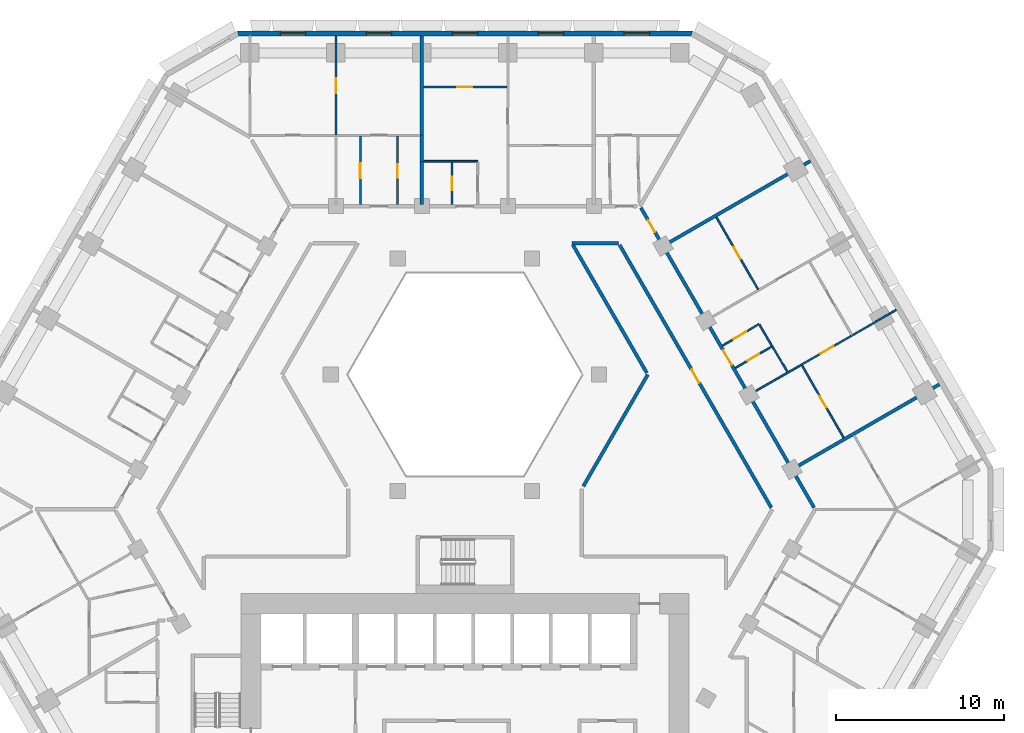
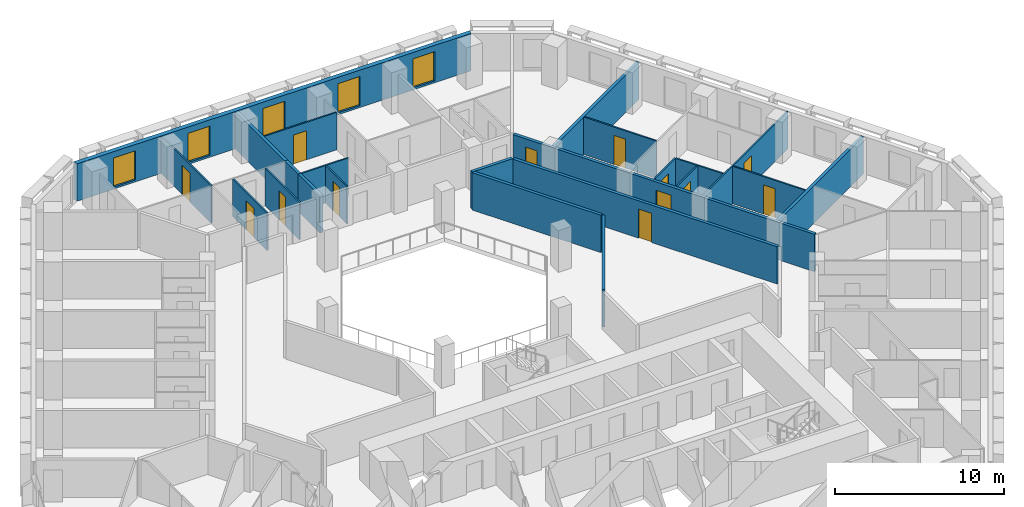
# One storey, part 9 of 16: 23 walls, 13 doors, 5 windows, 18 openings.
"""IFC4 building model written with IfcOpenShell, lengths in metres."""

from ifc_helpers import new_model, si_unit, direction, frame, frame_2d, origin, place, context, subcontext, project, spatial, polyline, rectangle, outline, extrude, material, layer, layer_set, type_object, element, fill, save


model = new_model("IFC4")

# Units and contexts
model_context = context("Model", 3, precision=1e-05, world=origin(), true_north=direction((0.0, 1.0)))
body_context = subcontext(model_context, "Body", "Model", "MODEL_VIEW")
ifc_project = project(units=[si_unit("LENGTHUNIT", "METRE"), si_unit("AREAUNIT", "SQUARE_METRE"), si_unit("VOLUMEUNIT", "CUBIC_METRE"), si_unit("PLANEANGLEUNIT", "RADIAN"), si_unit("MASSUNIT", "GRAM", prefix="KILO")], contexts=[model_context])

# Site, building, storey
site_placement = place(None, origin())
site = spatial("IfcSite", under=ifc_project, at=site_placement, CompositionType="ELEMENT")
building_placement = place(site_placement, origin())
building = spatial("IfcBuilding", under=site, at=building_placement, Name="Beryl Residences", CompositionType="ELEMENT")
storey_placement = place(building_placement, frame((0.0, 0.0, 26.39990234375)))
storey = spatial("IfcBuildingStorey", under=building, at=storey_placement, Name="L07", CompositionType="ELEMENT", Elevation=26.39990234375)

# Wall, openings, windows
ifc_material_1 = material(Name="Composite metal panel with mineral wool insulation")
ifc_layer_1 = layer(ifc_material_1, 0.300048828125)
ifc_layer_set_1 = layer_set([ifc_layer_1], Name="ES1 pale metal composite panel wall 300 mm")
wall_type_1 = type_object("IfcWallType", Name="ES1 pale metal composite panel wall 300 mm", PredefinedType="SOLIDWALL", material=ifc_layer_set_1)
wall_1_placement = place(storey_placement, frame((13.510009765625, 28.25, 0.0), z_axis=(0.0, 0.0, 1.0), x_axis=(-1.0, 0.0, 0.0)))
wall_1 = element("IfcWall", 1, at=wall_1_placement, inside=storey, type_object=wall_type_1, Name="ES1 external wall L07 N", PredefinedType="SOLIDWALL", context=body_context, shape_type="SweptSolid", body=[
    extrude(outline(polyline([(0.0, -0.14990234375), (27.02001953125, -0.14990234375), (26.939697265625, 0.14990234375), (0.080322265625, 0.14990234375), (0.0, -0.14990234375)])), origin(), (0.0, 0.0, 1.0), 2.7001953125),
])
opening_1_placement = place(wall_1_placement, frame((2.552978515625, 0.0, 0.14990234375)))
opening_1 = element("IfcOpeningElement", 2, at=opening_1_placement, cuts=wall_1, Name="Opening W1", PredefinedType="OPENING", context=body_context, shape_type="SweptSolid", body=[
    extrude(rectangle(XDim=1.5, YDim=2.10009765625, at=frame_2d((0.75, 1.050048828125))), frame((0.0, 0.159912109375, 0.0), z_axis=(0.0, -1.0, 0.0), x_axis=(1.0, 0.0, 0.0)), (0.0, 0.0, 1.0), 0.320068359375),
])
opening_2_placement = place(wall_1_placement, frame((7.656982421875, 0.0, 0.14990234375)))
opening_2 = element("IfcOpeningElement", 3, at=opening_2_placement, cuts=wall_1, Name="Opening W1", PredefinedType="OPENING", context=body_context, shape_type="SweptSolid", body=[
    extrude(rectangle(XDim=1.5, YDim=2.10009765625, at=frame_2d((0.75, 1.050048828125))), frame((0.0, 0.159912109375, 0.0), z_axis=(0.0, -1.0, 0.0), x_axis=(1.0, 0.0, 0.0)), (0.0, 0.0, 1.0), 0.320068359375),
])
opening_3_placement = place(wall_1_placement, frame((12.760986328125, 0.0, 0.14990234375)))
opening_3 = element("IfcOpeningElement", 4, at=opening_3_placement, cuts=wall_1, Name="Opening W1", PredefinedType="OPENING", context=body_context, shape_type="SweptSolid", body=[
    extrude(rectangle(XDim=1.5, YDim=2.10009765625, at=frame_2d((0.75, 1.050048828125))), frame((0.0, 0.159912109375, 0.0), z_axis=(0.0, -1.0, 0.0), x_axis=(1.0, 0.0, 0.0)), (0.0, 0.0, 1.0), 0.320068359375),
])
opening_4_placement = place(wall_1_placement, frame((17.864990234375, 0.0, 0.14990234375)))
opening_4 = element("IfcOpeningElement", 5, at=opening_4_placement, cuts=wall_1, Name="Opening W1", PredefinedType="OPENING", context=body_context, shape_type="SweptSolid", body=[
    extrude(rectangle(XDim=1.5, YDim=2.10009765625, at=frame_2d((0.75, 1.050048828125))), frame((0.0, 0.159912109375, 0.0), z_axis=(0.0, -1.0, 0.0), x_axis=(1.0, 0.0, 0.0)), (0.0, 0.0, 1.0), 0.320068359375),
])
opening_5_placement = place(wall_1_placement, frame((22.968994140625, 0.0, 0.14990234375)))
opening_5 = element("IfcOpeningElement", 6, at=opening_5_placement, cuts=wall_1, Name="Opening W1", PredefinedType="OPENING", context=body_context, shape_type="SweptSolid", body=[
    extrude(rectangle(XDim=1.5, YDim=2.10009765625, at=frame_2d((0.75, 1.050048828125))), frame((0.0, 0.159912109375, 0.0), z_axis=(0.0, -1.0, 0.0), x_axis=(1.0, 0.0, 0.0)), (0.0, 0.0, 1.0), 0.320068359375),
])
ifc_material_2 = material(Name="Aluminium and clear glass", Category="aluminium")
window_type = type_object("IfcWindowType", Name="W1 cell window 1500 x 2100 mm", PartitioningType="SINGLE_PANEL", PredefinedType="WINDOW", material=ifc_material_2)
window_1_placement = place(opening_1_placement, origin())
window_1 = element("IfcWindow", 7, at=window_1_placement, inside=storey, type_object=window_type, Name="W1 window L07 N 2", OverallHeight=2.10009765625, OverallWidth=1.5, PartitioningType="SINGLE_PANEL", PredefinedType="WINDOW", context=body_context, shape_type="SweptSolid", body=[
    extrude(rectangle(XDim=1.5, YDim=2.10009765625, at=frame_2d((0.75, 1.050048828125))), frame((0.0, 0.030029296875, 0.0), z_axis=(0.0, -1.0, 0.0), x_axis=(1.0, 0.0, 0.0)), (0.0, 0.0, 1.0), 0.06005859375),
])
fill(opening_1, window_1)
window_2_placement = place(opening_2_placement, origin())
window_2 = element("IfcWindow", 8, at=window_2_placement, inside=storey, type_object=window_type, Name="W1 window L07 N 4", OverallHeight=2.10009765625, OverallWidth=1.5, PartitioningType="SINGLE_PANEL", PredefinedType="WINDOW", context=body_context, shape_type="SweptSolid", body=[
    extrude(rectangle(XDim=1.5, YDim=2.10009765625, at=frame_2d((0.75, 1.050048828125))), frame((0.0, 0.030029296875, 0.0), z_axis=(0.0, -1.0, 0.0), x_axis=(1.0, 0.0, 0.0)), (0.0, 0.0, 1.0), 0.06005859375),
])
fill(opening_2, window_2)
window_3_placement = place(opening_3_placement, origin())
window_3 = element("IfcWindow", 9, at=window_3_placement, inside=storey, type_object=window_type, Name="W1 window L07 N 6", OverallHeight=2.10009765625, OverallWidth=1.5, PartitioningType="SINGLE_PANEL", PredefinedType="WINDOW", context=body_context, shape_type="SweptSolid", body=[
    extrude(rectangle(XDim=1.5, YDim=2.10009765625, at=frame_2d((0.75, 1.050048828125))), frame((0.0, 0.030029296875, 0.0), z_axis=(0.0, -1.0, 0.0), x_axis=(1.0, 0.0, 0.0)), (0.0, 0.0, 1.0), 0.06005859375),
])
fill(opening_3, window_3)
window_4_placement = place(opening_4_placement, origin())
window_4 = element("IfcWindow", 10, at=window_4_placement, inside=storey, type_object=window_type, Name="W1 window L07 N 8", OverallHeight=2.10009765625, OverallWidth=1.5, PartitioningType="SINGLE_PANEL", PredefinedType="WINDOW", context=body_context, shape_type="SweptSolid", body=[
    extrude(rectangle(XDim=1.5, YDim=2.10009765625, at=frame_2d((0.75, 1.050048828125))), frame((0.0, 0.030029296875, 0.0), z_axis=(0.0, -1.0, 0.0), x_axis=(1.0, 0.0, 0.0)), (0.0, 0.0, 1.0), 0.06005859375),
])
fill(opening_4, window_4)
window_5_placement = place(opening_5_placement, origin())
window_5 = element("IfcWindow", 11, at=window_5_placement, inside=storey, type_object=window_type, Name="W1 window L07 N 10", OverallHeight=2.10009765625, OverallWidth=1.5, PartitioningType="SINGLE_PANEL", PredefinedType="WINDOW", context=body_context, shape_type="SweptSolid", body=[
    extrude(rectangle(XDim=1.5, YDim=2.10009765625, at=frame_2d((0.75, 1.050048828125))), frame((0.0, 0.030029296875, 0.0), z_axis=(0.0, -1.0, 0.0), x_axis=(1.0, 0.0, 0.0)), (0.0, 0.0, 1.0), 0.06005859375),
])
fill(opening_5, window_5)

# Wall
ifc_material_3 = material(Name="Gypsum board partition on steel studs", Category="steel")
ifc_layer_2 = layer(ifc_material_3, 0.10009765625)
ifc_layer_set_2 = layer_set([ifc_layer_2], Name="PT1 partition 100 mm gypsum board on steel studs")
wall_type_2 = type_object("IfcWallType", Name="PT1 partition 100 mm gypsum board on steel studs", PredefinedType="PARTITIONING", material=ifc_layer_set_2)
wall_2_placement = place(storey_placement, frame((17.485107421875, 10.95703125, 0.0), z_axis=(0.0, 0.0, 1.0), x_axis=(0.510324709283, -0.859981796956, 0.0)))
element("IfcWall", 12, at=wall_2_placement, inside=storey, type_object=wall_type_2, Name="Wall PT1 L07 001", PredefinedType="PARTITIONING", context=body_context, shape_type="SweptSolid", body=[
    extrude(rectangle(XDim=3.21533203125, YDim=0.10009765625, at=frame_2d((1.607666015625, 0.0))), origin(), (0.0, 0.0, 1.0), 2.7001953125),
])

# Wall, opening, door
wall_3_placement = place(storey_placement, frame((14.927978515625, 17.343994140625, 0.0), z_axis=(0.0, 0.0, 1.0), x_axis=(0.500029609304, -0.86600830817, 0.0)))
wall_3 = element("IfcWall", 13, at=wall_3_placement, inside=storey, type_object=wall_type_2, Name="Wall PT1 L07 004", PredefinedType="PARTITIONING", context=body_context, shape_type="SweptSolid", body=[
    extrude(rectangle(XDim=4.953857421875, YDim=0.10009765625, at=frame_2d((2.47705078125, 0.0))), origin(), (0.0, 0.0, 1.0), 2.7001953125),
])
opening_6_placement = place(wall_3_placement, frame((2.052001953125, 0.0, 0.0)))
opening_6 = element("IfcOpeningElement", 14, at=opening_6_placement, cuts=wall_3, Name="Opening D0457", PredefinedType="OPENING", context=body_context, shape_type="SweptSolid", body=[
    extrude(rectangle(XDim=0.800048828125, YDim=2.10009765625, at=frame_2d((0.39990234375, 1.050048828125))), frame((0.0, 0.06005859375, 0.0), z_axis=(0.0, -1.0, 0.0), x_axis=(1.0, 0.0, 0.0)), (0.0, 0.0, 1.0), 0.1201171875),
])
ifc_material_4 = material(Name="Timber door leaf", Category="wood")
door_type_1 = type_object("IfcDoorType", Name="D3 bathroom door 800 x 2100 mm", OperationType="SINGLE_SWING_LEFT", PredefinedType="DOOR", material=ifc_material_4)
door_1_placement = place(opening_6_placement, origin())
door_1 = element("IfcDoor", 15, at=door_1_placement, inside=storey, type_object=door_type_1, Name="Door D0457 L07 001", OperationType="SINGLE_SWING_LEFT", OverallHeight=2.10009765625, OverallWidth=0.800048828125, PredefinedType="DOOR", context=body_context, shape_type="SweptSolid", body=[
    extrude(rectangle(XDim=0.800048828125, YDim=2.10009765625, at=frame_2d((0.39990234375, 1.050048828125))), frame((0.0, 0.02490234375, 0.0), z_axis=(0.0, -1.0, 0.0), x_axis=(1.0, 0.0, 0.0)), (0.0, 0.0, 1.0), 0.050048828125),
])
fill(opening_6, door_1)

wall_4_placement = place(storey_placement, frame((20.006103515625, 8.548095703125, 0.0), z_axis=(0.0, 0.0, 1.0), x_axis=(0.500055121407, -0.865993577086, 0.0)))
wall_4 = element("IfcWall", 16, at=wall_4_placement, inside=storey, type_object=wall_type_2, Name="Wall PT1 L07 005", PredefinedType="PARTITIONING", context=body_context, shape_type="SweptSolid", body=[
    extrude(rectangle(XDim=4.955078125, YDim=0.10009765625, at=frame_2d((2.4775390625, 0.0))), origin(), (0.0, 0.0, 1.0), 2.7001953125),
])
opening_7_placement = place(wall_4_placement, frame((2.10205078125, 0.0, 0.0)))
opening_7 = element("IfcOpeningElement", 17, at=opening_7_placement, cuts=wall_4, Name="Opening D0456", PredefinedType="OPENING", context=body_context, shape_type="SweptSolid", body=[
    extrude(rectangle(XDim=0.800048828125, YDim=2.10009765625, at=frame_2d((0.39990234375, 1.050048828125))), frame((0.0, 0.06005859375, 0.0), z_axis=(0.0, -1.0, 0.0), x_axis=(1.0, 0.0, 0.0)), (0.0, 0.0, 1.0), 0.1201171875),
])
door_2_placement = place(opening_7_placement, origin())
door_2 = element("IfcDoor", 18, at=door_2_placement, inside=storey, type_object=door_type_1, Name="Door D0456 L07 001", OperationType="SINGLE_SWING_RIGHT", OverallHeight=2.10009765625, OverallWidth=0.800048828125, PredefinedType="DOOR", context=body_context, shape_type="SweptSolid", body=[
    extrude(rectangle(XDim=0.800048828125, YDim=2.10009765625, at=frame_2d((0.39990234375, 1.050048828125))), frame((0.0, 0.02490234375, 0.0), z_axis=(0.0, -1.0, 0.0), x_axis=(1.0, 0.0, 0.0)), (0.0, 0.0, 1.0), 0.050048828125),
])
fill(opening_7, door_2)

# Wall
wall_5_placement = place(storey_placement, frame((-2.452880859375, 20.659912109375, 0.0), z_axis=(0.0, 0.0, 1.0), x_axis=(1.0, 0.0, 0.0)))
element("IfcWall", 19, at=wall_5_placement, inside=storey, type_object=wall_type_2, Name="Wall PT1 L07 035", PredefinedType="PARTITIONING", context=body_context, shape_type="SweptSolid", body=[
    extrude(rectangle(XDim=3.216796875, YDim=0.10009765625, at=frame_2d((1.6083984375, 0.0))), origin(), (0.0, 0.0, 1.0), 2.7001953125),
])

# Wall, opening, door
wall_6_placement = place(storey_placement, frame((-2.452880859375, 25.070068359375, 0.0), z_axis=(0.0, 0.0, 1.0), x_axis=(1.0, 0.0, 0.0)))
wall_6 = element("IfcWall", 20, at=wall_6_placement, inside=storey, type_object=wall_type_2, Name="Wall PT1 L07 039", PredefinedType="PARTITIONING", context=body_context, shape_type="SweptSolid", body=[
    extrude(rectangle(XDim=4.953857421875, YDim=0.10009765625, at=frame_2d((2.47705078125, 0.0))), origin(), (0.0, 0.0, 1.0), 2.7001953125),
])
opening_8_placement = place(wall_6_placement, frame((2.001953125, 0.0, 0.0)))
opening_8 = element("IfcOpeningElement", 21, at=opening_8_placement, cuts=wall_6, Name="Opening D0466", PredefinedType="OPENING", context=body_context, shape_type="SweptSolid", body=[
    extrude(rectangle(XDim=0.89990234375, YDim=2.10009765625, at=frame_2d((0.449951171875, 1.050048828125))), frame((0.0, 0.06005859375, 0.0), z_axis=(0.0, -1.0, 0.0), x_axis=(1.0, 0.0, 0.0)), (0.0, 0.0, 1.0), 0.1201171875),
])
ifc_material_5 = material(Name="Timber door leaf", Category="wood")
door_type_2 = type_object("IfcDoorType", Name="D2 room door 900 x 2100 mm", OperationType="SINGLE_SWING_LEFT", PredefinedType="DOOR", material=ifc_material_5)
door_3_placement = place(opening_8_placement, origin())
door_3 = element("IfcDoor", 22, at=door_3_placement, inside=storey, type_object=door_type_2, Name="Door D0466 L07 001", OperationType="SINGLE_SWING_RIGHT", OverallHeight=2.10009765625, OverallWidth=0.89990234375, PredefinedType="DOOR", context=body_context, shape_type="SweptSolid", body=[
    extrude(rectangle(XDim=0.89990234375, YDim=2.10009765625, at=frame_2d((0.449951171875, 1.050048828125))), frame((0.0, 0.02490234375, 0.0), z_axis=(0.0, -1.0, 0.0), x_axis=(1.0, 0.0, 0.0)), (0.0, 0.0, 1.0), 0.050048828125),
])
fill(opening_8, door_3)

wall_7_placement = place(storey_placement, frame((-4.0048828125, 18.10009765625, 0.0), z_axis=(0.0, 0.0, 1.0), x_axis=(0.0, 1.0, 0.0)))
wall_7 = element("IfcWall", 23, at=wall_7_placement, inside=storey, type_object=wall_type_2, Name="Wall PT1 L07 051", PredefinedType="PARTITIONING", context=body_context, shape_type="SweptSolid", body=[
    extrude(rectangle(XDim=4.0498046875, YDim=0.10009765625, at=frame_2d((2.02490234375, 0.0))), origin(), (0.0, 0.0, 1.0), 2.7001953125),
])
opening_9_placement = place(wall_7_placement, frame((1.60009765625, 0.0, 0.0)))
opening_9 = element("IfcOpeningElement", 24, at=opening_9_placement, cuts=wall_7, Name="Opening D0470", PredefinedType="OPENING", context=body_context, shape_type="SweptSolid", body=[
    extrude(rectangle(XDim=0.800048828125, YDim=2.10009765625, at=frame_2d((0.39990234375, 1.050048828125))), frame((0.0, 0.06005859375, 0.0), z_axis=(0.0, -1.0, 0.0), x_axis=(1.0, 0.0, 0.0)), (0.0, 0.0, 1.0), 0.1201171875),
])
door_4_placement = place(opening_9_placement, origin())
door_4 = element("IfcDoor", 25, at=door_4_placement, inside=storey, type_object=door_type_1, Name="Door D0470 L07 001", OperationType="SINGLE_SWING_RIGHT", OverallHeight=2.10009765625, OverallWidth=0.800048828125, PredefinedType="DOOR", context=body_context, shape_type="SweptSolid", body=[
    extrude(rectangle(XDim=0.800048828125, YDim=2.10009765625, at=frame_2d((0.39990234375, 1.050048828125))), frame((0.0, 0.02490234375, 0.0), z_axis=(0.0, -1.0, 0.0), x_axis=(1.0, 0.0, 0.0)), (0.0, 0.0, 1.0), 0.050048828125),
])
fill(opening_9, door_4)

wall_8_placement = place(storey_placement, frame((-6.205078125, 18.10009765625, 0.0), z_axis=(0.0, 0.0, 1.0), x_axis=(0.0, 1.0, 0.0)))
wall_8 = element("IfcWall", 26, at=wall_8_placement, inside=storey, type_object=wall_type_2, Name="Wall PT1 L07 052", PredefinedType="PARTITIONING", context=body_context, shape_type="SweptSolid", body=[
    extrude(rectangle(XDim=4.0498046875, YDim=0.10009765625, at=frame_2d((2.02490234375, 0.0))), origin(), (0.0, 0.0, 1.0), 2.7001953125),
])
opening_10_placement = place(wall_8_placement, frame((1.550048828125, 0.0, 0.0)))
opening_10 = element("IfcOpeningElement", 27, at=opening_10_placement, cuts=wall_8, Name="Opening D0471", PredefinedType="OPENING", context=body_context, shape_type="SweptSolid", body=[
    extrude(rectangle(XDim=0.89990234375, YDim=2.10009765625, at=frame_2d((0.449951171875, 1.050048828125))), frame((0.0, 0.06005859375, 0.0), z_axis=(0.0, -1.0, 0.0), x_axis=(1.0, 0.0, 0.0)), (0.0, 0.0, 1.0), 0.1201171875),
])
door_5_placement = place(opening_10_placement, origin())
door_5 = element("IfcDoor", 28, at=door_5_placement, inside=storey, type_object=door_type_2, Name="Door D0471 L07 001", OperationType="SINGLE_SWING_LEFT", OverallHeight=2.10009765625, OverallWidth=0.89990234375, PredefinedType="DOOR", context=body_context, shape_type="SweptSolid", body=[
    extrude(rectangle(XDim=0.89990234375, YDim=2.10009765625, at=frame_2d((0.449951171875, 1.050048828125))), frame((0.0, 0.02490234375, 0.0), z_axis=(0.0, -1.0, 0.0), x_axis=(1.0, 0.0, 0.0)), (0.0, 0.0, 1.0), 0.050048828125),
])
fill(opening_10, door_5)

wall_9_placement = place(storey_placement, frame((-0.76708984375, 18.10009765625, 0.0), z_axis=(0.0, 0.0, 1.0), x_axis=(0.0, 1.0, 0.0)))
wall_9 = element("IfcWall", 29, at=wall_9_placement, inside=storey, type_object=wall_type_2, Name="Wall PT1 L07 056", PredefinedType="PARTITIONING", context=body_context, shape_type="SweptSolid", body=[
    extrude(rectangle(XDim=2.510009765625, YDim=0.10009765625, at=frame_2d((1.2548828125, 0.0))), origin(), (0.0, 0.0, 1.0), 2.7001953125),
])
opening_11_placement = place(wall_9_placement, frame((0.830078125, 0.0, 0.0)))
opening_11 = element("IfcOpeningElement", 30, at=opening_11_placement, cuts=wall_9, Name="Opening D0465", PredefinedType="OPENING", context=body_context, shape_type="SweptSolid", body=[
    extrude(rectangle(XDim=0.800048828125, YDim=2.10009765625, at=frame_2d((0.39990234375, 1.050048828125))), frame((0.0, 0.06005859375, 0.0), z_axis=(0.0, -1.0, 0.0), x_axis=(1.0, 0.0, 0.0)), (0.0, 0.0, 1.0), 0.1201171875),
])
door_6_placement = place(opening_11_placement, origin())
door_6 = element("IfcDoor", 31, at=door_6_placement, inside=storey, type_object=door_type_1, Name="Door D0465 L07 001", OperationType="SINGLE_SWING_LEFT", OverallHeight=2.10009765625, OverallWidth=0.800048828125, PredefinedType="DOOR", context=body_context, shape_type="SweptSolid", body=[
    extrude(rectangle(XDim=0.800048828125, YDim=2.10009765625, at=frame_2d((0.39990234375, 1.050048828125))), frame((0.0, 0.02490234375, 0.0), z_axis=(0.0, -1.0, 0.0), x_axis=(1.0, 0.0, 0.0)), (0.0, 0.0, 1.0), 0.050048828125),
])
fill(opening_11, door_6)

wall_10_placement = place(storey_placement, frame((16.949951171875, 6.841064453125, 0.0), z_axis=(0.0, 0.0, 1.0), x_axis=(0.866022959057, 0.500004234368, 0.0)))
wall_10 = element("IfcWall", 32, at=wall_10_placement, inside=storey, type_object=wall_type_2, Name="Wall PT1 L07 065", PredefinedType="PARTITIONING", context=body_context, shape_type="SweptSolid", body=[
    extrude(rectangle(XDim=10.0, YDim=0.10009765625, at=frame_2d((5.0, 0.0))), origin(), (0.0, 0.0, 1.0), 2.7001953125),
])
opening_12_placement = place(wall_10_placement, frame((4.794921875, 0.0, 0.0)))
opening_12 = element("IfcOpeningElement", 33, at=opening_12_placement, cuts=wall_10, Name="Opening D0455", PredefinedType="OPENING", context=body_context, shape_type="SweptSolid", body=[
    extrude(rectangle(XDim=0.89990234375, YDim=2.10009765625, at=frame_2d((0.449951171875, 1.050048828125))), frame((0.0, 0.06005859375, 0.0), z_axis=(0.0, -1.0, 0.0), x_axis=(1.0, 0.0, 0.0)), (0.0, 0.0, 1.0), 0.1201171875),
])
door_7_placement = place(opening_12_placement, origin())
door_7 = element("IfcDoor", 34, at=door_7_placement, inside=storey, type_object=door_type_2, Name="Door D0455 L07 001", OperationType="SINGLE_SWING_LEFT", OverallHeight=2.10009765625, OverallWidth=0.89990234375, PredefinedType="DOOR", context=body_context, shape_type="SweptSolid", body=[
    extrude(rectangle(XDim=0.89990234375, YDim=2.10009765625, at=frame_2d((0.449951171875, 1.050048828125))), frame((0.0, 0.02490234375, 0.0), z_axis=(0.0, -1.0, 0.0), x_axis=(1.0, 0.0, 0.0)), (0.0, 0.0, 1.0), 0.050048828125),
])
fill(opening_12, door_7)

wall_11_placement = place(storey_placement, frame((16.056884765625, 8.388916015625, 0.0), z_axis=(0.0, 0.0, 1.0), x_axis=(0.860077993161, 0.510162567893, 0.0)))
wall_11 = element("IfcWall", 35, at=wall_11_placement, inside=storey, type_object=wall_type_2, Name="Wall PT1 L07 069", PredefinedType="PARTITIONING", context=body_context, shape_type="SweptSolid", body=[
    extrude(rectangle(XDim=2.489501953125, YDim=0.10009765625, at=frame_2d((1.24462890625, 0.0))), origin(), (0.0, 0.0, 1.0), 2.7001953125),
])
opening_13_placement = place(wall_11_placement, frame((0.819091796875, 0.0, 0.0)))
opening_13 = element("IfcOpeningElement", 36, at=opening_13_placement, cuts=wall_11, Name="Opening D0452", PredefinedType="OPENING", context=body_context, shape_type="SweptSolid", body=[
    extrude(rectangle(XDim=0.800048828125, YDim=2.10009765625, at=frame_2d((0.39990234375, 1.050048828125))), frame((0.0, 0.06005859375, 0.0), z_axis=(0.0, -1.0, 0.0), x_axis=(1.0, 0.0, 0.0)), (0.0, 0.0, 1.0), 0.1201171875),
])
door_8_placement = place(opening_13_placement, origin())
door_8 = element("IfcDoor", 37, at=door_8_placement, inside=storey, type_object=door_type_1, Name="Door D0452 L07 001", OperationType="SINGLE_SWING_RIGHT", OverallHeight=2.10009765625, OverallWidth=0.800048828125, PredefinedType="DOOR", context=body_context, shape_type="SweptSolid", body=[
    extrude(rectangle(XDim=0.800048828125, YDim=2.10009765625, at=frame_2d((0.39990234375, 1.050048828125))), frame((0.0, 0.02490234375, 0.0), z_axis=(0.0, -1.0, 0.0), x_axis=(1.0, 0.0, 0.0)), (0.0, 0.0, 1.0), 0.050048828125),
])
fill(opening_13, door_8)

wall_12_placement = place(storey_placement, frame((15.291015625, 9.715087890625, 0.0), z_axis=(0.0, 0.0, 1.0), x_axis=(0.860088508644, 0.51014483953, 0.0)))
wall_12 = element("IfcWall", 38, at=wall_12_placement, inside=storey, type_object=wall_type_2, Name="Wall PT1 L07 070", PredefinedType="PARTITIONING", context=body_context, shape_type="SweptSolid", body=[
    extrude(rectangle(XDim=2.520751953125, YDim=0.10009765625, at=frame_2d((1.26025390625, 0.0))), origin(), (0.0, 0.0, 1.0), 2.7001953125),
])
opening_14_placement = place(wall_12_placement, frame((0.760009765625, 0.0, 0.0)))
opening_14 = element("IfcOpeningElement", 39, at=opening_14_placement, cuts=wall_12, Name="Opening D0451", PredefinedType="OPENING", context=body_context, shape_type="SweptSolid", body=[
    extrude(rectangle(XDim=0.89990234375, YDim=2.10009765625, at=frame_2d((0.449951171875, 1.050048828125))), frame((0.0, 0.06005859375, 0.0), z_axis=(0.0, -1.0, 0.0), x_axis=(1.0, 0.0, 0.0)), (0.0, 0.0, 1.0), 0.1201171875),
])
door_9_placement = place(opening_14_placement, origin())
door_9 = element("IfcDoor", 40, at=door_9_placement, inside=storey, type_object=door_type_2, Name="Door D0451 L07 001", OperationType="SINGLE_SWING_LEFT", OverallHeight=2.10009765625, OverallWidth=0.89990234375, PredefinedType="DOOR", context=body_context, shape_type="SweptSolid", body=[
    extrude(rectangle(XDim=0.89990234375, YDim=2.10009765625, at=frame_2d((0.449951171875, 1.050048828125))), frame((0.0, 0.02490234375, 0.0), z_axis=(0.0, -1.0, 0.0), x_axis=(1.0, 0.0, 0.0)), (0.0, 0.0, 1.0), 0.050048828125),
])
fill(opening_14, door_9)

wall_13_placement = place(storey_placement, frame((-7.656982421875, 22.199951171875, 0.0), z_axis=(0.0, 0.0, 1.0), x_axis=(0.0, 1.0, 0.0)))
wall_13 = element("IfcWall", 41, at=wall_13_placement, inside=storey, type_object=wall_type_2, Name="Wall PT1 L07 076", PredefinedType="PARTITIONING", context=body_context, shape_type="SweptSolid", body=[
    extrude(rectangle(XDim=5.900146484375, YDim=0.10009765625, at=frame_2d((2.9501953125, 0.0))), origin(), (0.0, 0.0, 1.0), 2.7001953125),
])
opening_15_placement = place(wall_13_placement, frame((2.5, 0.0, 0.0)))
opening_15 = element("IfcOpeningElement", 42, at=opening_15_placement, cuts=wall_13, Name="Opening D0473", PredefinedType="OPENING", context=body_context, shape_type="SweptSolid", body=[
    extrude(rectangle(XDim=0.89990234375, YDim=2.10009765625, at=frame_2d((0.449951171875, 1.050048828125))), frame((0.0, 0.06005859375, 0.0), z_axis=(0.0, -1.0, 0.0), x_axis=(1.0, 0.0, 0.0)), (0.0, 0.0, 1.0), 0.1201171875),
])
door_10_placement = place(opening_15_placement, origin())
door_10 = element("IfcDoor", 43, at=door_10_placement, inside=storey, type_object=door_type_2, Name="Door D0473 L07 001", OperationType="SINGLE_SWING_LEFT", OverallHeight=2.10009765625, OverallWidth=0.89990234375, PredefinedType="DOOR", context=body_context, shape_type="SweptSolid", body=[
    extrude(rectangle(XDim=0.89990234375, YDim=2.10009765625, at=frame_2d((0.449951171875, 1.050048828125))), frame((0.0, 0.02490234375, 0.0), z_axis=(0.0, -1.0, 0.0), x_axis=(1.0, 0.0, 0.0)), (0.0, 0.0, 1.0), 0.050048828125),
])
fill(opening_15, door_10)

# Walls
ifc_material_6 = material(Name="Acoustic double stud gypsum board wall")
ifc_layer_3 = layer(ifc_material_6, 0.199951171875)
ifc_layer_set_3 = layer_set([ifc_layer_3], Name="PT3 party wall 200 mm acoustic double stud")
wall_type_3 = type_object("IfcWallType", Name="PT3 party wall 200 mm acoustic double stud", PredefinedType="PARTITIONING", material=ifc_layer_set_3)
wall_14_placement = place(storey_placement, frame((-2.552978515625, 22.219970703125, 0.0), z_axis=(0.0, 0.0, 1.0), x_axis=(0.0, -1.0, 0.0)))
element("IfcWall", 44, at=wall_14_placement, inside=storey, type_object=wall_type_3, Name="Wall PT3 L07 002", PredefinedType="PARTITIONING", context=body_context, shape_type="SweptSolid", body=[
    extrude(rectangle(XDim=1.56005859375, YDim=0.199951171875, at=frame_2d((0.780029296875, 0.0))), origin(), (0.0, 0.0, 1.0), 2.7001953125),
])
wall_15_placement = place(storey_placement, frame((-2.552978515625, 18.10009765625, 0.0), z_axis=(0.0, 0.0, 1.0), x_axis=(0.0, 1.0, 0.0)))
element("IfcWall", 45, at=wall_15_placement, inside=storey, type_object=wall_type_3, Name="Wall PT3 L07 018", PredefinedType="PARTITIONING", context=body_context, shape_type="SweptSolid", body=[
    extrude(rectangle(XDim=2.559814453125, YDim=0.199951171875, at=frame_2d((1.27978515625, 0.0))), origin(), (0.0, 0.0, 1.0), 2.7001953125),
])
wall_16_placement = place(storey_placement, frame((-2.552978515625, 22.179931640625, 0.0), z_axis=(0.0, 0.0, 1.0), x_axis=(0.0, 1.0, 0.0)))
element("IfcWall", 46, at=wall_16_placement, inside=storey, type_object=wall_type_3, Name="Wall PT3 L07 019", PredefinedType="PARTITIONING", context=body_context, shape_type="SweptSolid", body=[
    extrude(rectangle(XDim=5.920166015625, YDim=0.199951171875, at=frame_2d((2.9599609375, 0.0))), origin(), (0.0, 0.0, 1.0), 2.7001953125),
])
wall_17_placement = place(storey_placement, frame((19.5029296875, 2.4208984375, 0.0), z_axis=(0.0, 0.0, 1.0), x_axis=(0.866065245018, 0.499930986609, 0.0)))
element("IfcWall", 47, at=wall_17_placement, inside=storey, type_object=wall_type_3, Name="Wall PT3 L07 021", PredefinedType="PARTITIONING", context=body_context, shape_type="SweptSolid", body=[
    extrude(rectangle(XDim=9.99951171875, YDim=0.199951171875, at=frame_2d((4.999755859375, 0.0))), origin(), (0.0, 0.0, 1.0), 2.7001953125),
])
wall_18_placement = place(storey_placement, frame((11.846923828125, 15.680908203125, 0.0), z_axis=(0.0, 0.0, 1.0), x_axis=(0.866022959057, 0.500004234368, 0.0)))
element("IfcWall", 48, at=wall_18_placement, inside=storey, type_object=wall_type_3, Name="Wall PT3 L07 023", PredefinedType="PARTITIONING", context=body_context, shape_type="SweptSolid", body=[
    extrude(rectangle(XDim=10.0, YDim=0.199951171875, at=frame_2d((5.0, 0.0))), origin(), (0.0, 0.0, 1.0), 2.7001953125),
])
ifc_material_7 = material(Name="Double stud gypsum board wall")
ifc_layer_4 = layer(ifc_material_7, 0.199951171875)
ifc_layer_set_4 = layer_set([ifc_layer_4], Name="PT4 corridor wall 200 mm double stud")
wall_type_4 = type_object("IfcWallType", Name="PT4 corridor wall 200 mm double stud", PredefinedType="PARTITIONING", material=ifc_layer_set_4)
wall_19_placement = place(storey_placement, frame((6.408935546875, 15.699951171875, 0.0), z_axis=(0.0, 0.0, 1.0), x_axis=(0.499930377127, -0.866065596838, 0.0)))
element("IfcWall", 49, at=wall_19_placement, inside=storey, type_object=wall_type_4, Name="Wall PT4 L07 004", PredefinedType="PARTITIONING", context=body_context, shape_type="SweptSolid", body=[
    extrude(rectangle(XDim=8.775146484375, YDim=0.199951171875, at=frame_2d((4.3876953125, 0.0))), origin(), (0.0, 0.0, 1.0), 2.7001953125),
])

# Wall, opening, door
wall_20_placement = place(storey_placement, frame((9.179931640625, 15.699951171875, 0.0), z_axis=(0.0, 0.0, 1.0), x_axis=(0.500003652032, -0.866023295272, 0.0)))
wall_20 = element("IfcWall", 50, at=wall_20_placement, inside=storey, type_object=wall_type_4, Name="Wall PT4 L07 005", PredefinedType="PARTITIONING", context=body_context, shape_type="SweptSolid", body=[
    extrude(rectangle(XDim=18.011962890625, YDim=0.199951171875, at=frame_2d((9.005859375, 0.0))), origin(), (0.0, 0.0, 1.0), 2.7001953125),
])
opening_16_placement = place(wall_20_placement, frame((8.555908203125, 0.0, 0.0)))
opening_16 = element("IfcOpeningElement", 51, at=opening_16_placement, cuts=wall_20, Name="Opening D0477", PredefinedType="OPENING", context=body_context, shape_type="SweptSolid", body=[
    extrude(rectangle(XDim=0.89990234375, YDim=2.10009765625, at=frame_2d((0.449951171875, 1.050048828125))), frame((0.0, 0.10986328125, 0.0), z_axis=(0.0, -1.0, 0.0), x_axis=(1.0, 0.0, 0.0)), (0.0, 0.0, 1.0), 0.219970703125),
])
door_11_placement = place(opening_16_placement, origin())
door_11 = element("IfcDoor", 52, at=door_11_placement, inside=storey, type_object=door_type_2, Name="Door D0477 L07 001", OperationType="SINGLE_SWING_LEFT", OverallHeight=2.10009765625, OverallWidth=0.89990234375, PredefinedType="DOOR", context=body_context, shape_type="SweptSolid", body=[
    extrude(rectangle(XDim=0.89990234375, YDim=2.10009765625, at=frame_2d((0.449951171875, 1.050048828125))), frame((0.0, 0.02490234375, 0.0), z_axis=(0.0, -1.0, 0.0), x_axis=(1.0, 0.0, 0.0)), (0.0, 0.0, 1.0), 0.050048828125),
])
fill(opening_16, door_11)

# Wall, openings, doors
wall_21_placement = place(storey_placement, frame((10.449951171875, 17.89990234375, 0.0), z_axis=(0.0, 0.0, 1.0), x_axis=(0.500034352617, -0.866005569383, 0.0)))
wall_21 = element("IfcWall", 53, at=wall_21_placement, inside=storey, type_object=wall_type_4, Name="Wall PT4 L07 006", PredefinedType="PARTITIONING", context=body_context, shape_type="SweptSolid", body=[
    extrude(rectangle(XDim=20.552734375, YDim=0.199951171875, at=frame_2d((10.2763671875, 0.0))), origin(), (0.0, 0.0, 1.0), 2.7001953125),
])
opening_17_placement = place(wall_21_placement, frame((9.77490234375, 0.0, 0.0)))
opening_17 = element("IfcOpeningElement", 54, at=opening_17_placement, cuts=wall_21, Name="Opening D0450", PredefinedType="OPENING", context=body_context, shape_type="SweptSolid", body=[
    extrude(rectangle(XDim=1.0, YDim=2.10009765625, at=frame_2d((0.5, 1.050048828125))), frame((0.0, 0.10986328125, 0.0), z_axis=(0.0, -1.0, 0.0), x_axis=(1.0, 0.0, 0.0)), (0.0, 0.0, 1.0), 0.219970703125),
])
opening_18_placement = place(wall_21_placement, frame((0.85205078125, 0.0, 0.0)))
opening_18 = element("IfcOpeningElement", 55, at=opening_18_placement, cuts=wall_21, Name="Opening D0458", PredefinedType="OPENING", context=body_context, shape_type="SweptSolid", body=[
    extrude(rectangle(XDim=0.800048828125, YDim=2.10009765625, at=frame_2d((0.39990234375, 1.050048828125))), frame((0.0, 0.10986328125, 0.0), z_axis=(0.0, -1.0, 0.0), x_axis=(1.0, 0.0, 0.0)), (0.0, 0.0, 1.0), 0.219970703125),
])
ifc_material_8 = material(Name="Timber door leaf", Category="wood")
door_type_3 = type_object("IfcDoorType", Name="D1 flat entrance door 1000 x 2100 mm", OperationType="SINGLE_SWING_LEFT", PredefinedType="DOOR", material=ifc_material_8)
door_12_placement = place(opening_17_placement, origin())
door_12 = element("IfcDoor", 56, at=door_12_placement, inside=storey, type_object=door_type_3, Name="Door D0450 L07 001", OperationType="SINGLE_SWING_RIGHT", OverallHeight=2.10009765625, OverallWidth=1.0, PredefinedType="DOOR", context=body_context, shape_type="SweptSolid", body=[
    extrude(rectangle(XDim=1.0, YDim=2.10009765625, at=frame_2d((0.5, 1.050048828125))), frame((0.0, 0.02490234375, 0.0), z_axis=(0.0, -1.0, 0.0), x_axis=(1.0, 0.0, 0.0)), (0.0, 0.0, 1.0), 0.050048828125),
])
fill(opening_17, door_12)
door_13_placement = place(opening_18_placement, origin())
door_13 = element("IfcDoor", 57, at=door_13_placement, inside=storey, type_object=door_type_1, Name="Door D0458 L07 001", OperationType="SINGLE_SWING_RIGHT", OverallHeight=2.10009765625, OverallWidth=0.800048828125, PredefinedType="DOOR", context=body_context, shape_type="SweptSolid", body=[
    extrude(rectangle(XDim=0.800048828125, YDim=2.10009765625, at=frame_2d((0.39990234375, 1.050048828125))), frame((0.0, 0.02490234375, 0.0), z_axis=(0.0, -1.0, 0.0), x_axis=(1.0, 0.0, 0.0)), (0.0, 0.0, 1.0), 0.050048828125),
])
fill(opening_18, door_13)

# Walls
wall_22_placement = place(storey_placement, frame((6.35107421875, 15.800048828125, 0.0), z_axis=(0.0, 0.0, 1.0), x_axis=(1.0, 0.0, 0.0)))
element("IfcWall", 58, at=wall_22_placement, inside=storey, type_object=wall_type_4, Name="Wall PT4 L07 017", PredefinedType="PARTITIONING", context=body_context, shape_type="SweptSolid", body=[
    extrude(rectangle(XDim=2.77099609375, YDim=0.199951171875, at=frame_2d((1.385498046875, 0.0))), origin(), (0.0, 0.0, 1.0), 2.7001953125),
])
wall_23_placement = place(storey_placement, frame((7.028076171875, 1.373046875, 0.0), z_axis=(0.0, 0.0, 1.0), x_axis=(0.49998574534, 0.86603363356, 0.0)))
element("IfcWall", 59, at=wall_23_placement, inside=storey, type_object=wall_type_4, Name="Wall PT4 L07 019", PredefinedType="PARTITIONING", context=body_context, shape_type="SweptSolid", body=[
    extrude(rectangle(XDim=7.652099609375, YDim=0.199951171875, at=frame_2d((3.826171875, 0.0))), origin(), (0.0, 0.0, 1.0), 2.7001953125),
])

save(model, "model.ifc")
